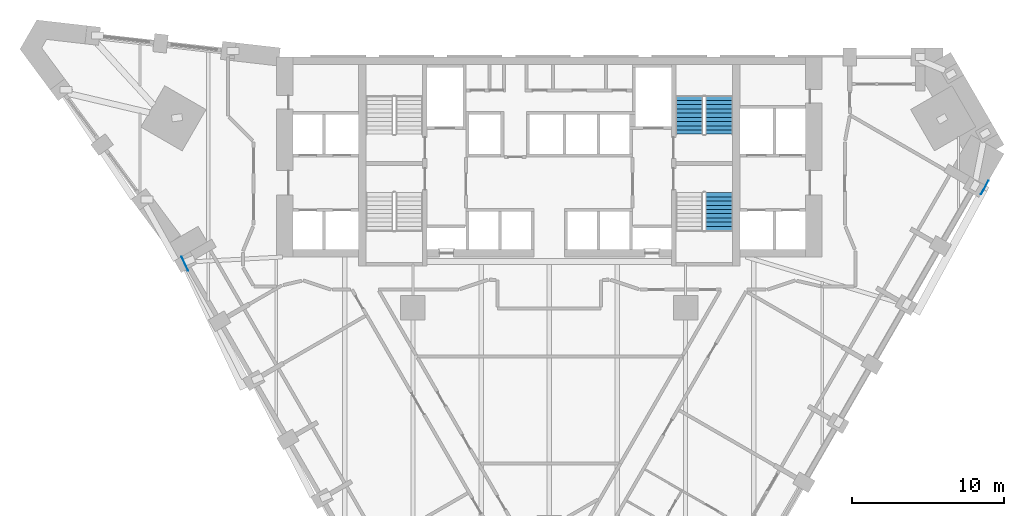
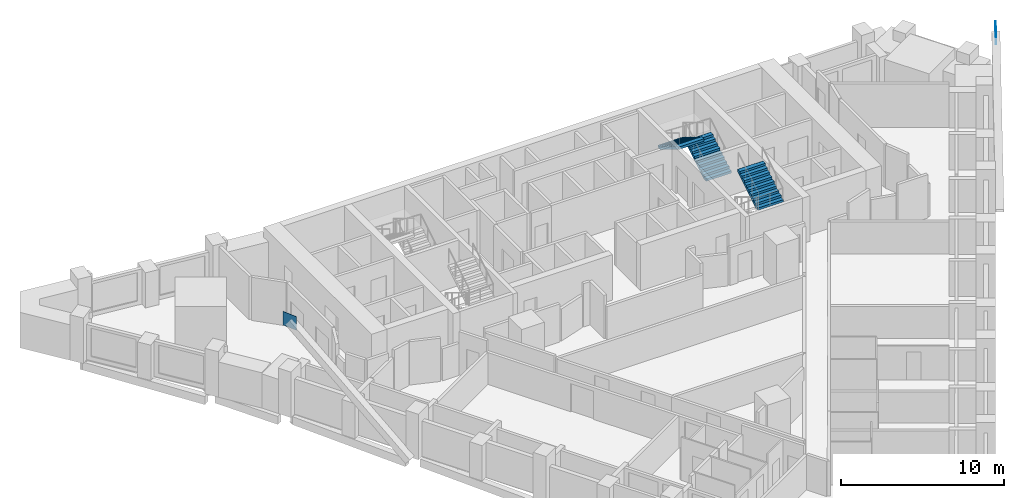
# One storey, part 10 of 11: 3 stair flights, 2 discrete accessories, 2 elements without a shape of their own.
"""IFC4 building model written with IfcOpenShell, lengths in metres."""

from ifc_helpers import new_model, si_unit, direction, frame, origin, origin_2d, place, context, subcontext, project, spatial, rectangle, extrude, faceted_brep, source, transform, mapped, material, type_object, element, aggregate, save


model = new_model("IFC4")

# Units and contexts
model_context = context("Model", 3, precision=1e-05, world=origin(), true_north=direction((0.0, 1.0)))
body_context = subcontext(model_context, "Body", "Model", "MODEL_VIEW")
ifc_project = project(units=[si_unit("LENGTHUNIT", "METRE"), si_unit("AREAUNIT", "SQUARE_METRE"), si_unit("VOLUMEUNIT", "CUBIC_METRE"), si_unit("PLANEANGLEUNIT", "RADIAN"), si_unit("MASSUNIT", "GRAM", prefix="KILO")], contexts=[model_context])

# Site, building, storey
site_placement = place(None, origin())
site = spatial("IfcSite", under=ifc_project, at=site_placement, CompositionType="ELEMENT")
building_placement = place(site_placement, origin())
building = spatial("IfcBuilding", under=site, at=building_placement, Name="Calabash Gate Tower", CompositionType="ELEMENT")
storey_placement = place(building_placement, frame((0.0, 0.0, 73.199951171875)))
storey = spatial("IfcBuildingStorey", under=building, at=storey_placement, Name="L14", CompositionType="ELEMENT", Elevation=73.199951171875)

# Stair, stair flights
ifc_material_1 = material(Name="Concrete C40/50", Category="concrete")
stair_type = type_object("IfcStairType", Name="Exit stair 20 risers of 170 mm", PredefinedType="HALF_TURN_STAIR", material=ifc_material_1)
stair_1_placement = place(storey_placement, origin())
stair_1 = element("IfcStair", 1, at=stair_1_placement, inside=storey, type_object=stair_type, Name="L14 Exit stair ST3", PredefinedType="HALF_TURN_STAIR")
ifc_material_2 = material(Name="Concrete C40/50", Category="concrete")
stair_flight_type = type_object("IfcStairFlightType", Name="Exit stair flight SFL", PredefinedType="STRAIGHT", material=ifc_material_2)
shared_shape = source(origin(), body_context, "Body", "Brep", [
    faceted_brep([(-0.0009765625, -0.89990234375, 0.0), (0.2880859375, -0.89990234375, 0.0), (2.511962890625, -0.89990234375, 1.3544921875), (-0.0009765625, 0.89990234375, 0.0), (2.511962890625, 0.89990234375, 1.3544921875), (0.2880859375, 0.89990234375, 0.0), (2.511962890625, -0.89990234375, 1.5419921875), (2.510986328125, -0.89990234375, 1.5419921875), (2.510986328125, 0.89990234375, 1.5419921875), (2.511962890625, 0.89990234375, 1.5419921875), (2.510986328125, -0.89990234375, 1.530029296875), (2.510986328125, 0.89990234375, 1.530029296875), (2.23193359375, -0.89990234375, 1.530029296875), (2.23193359375, 0.89990234375, 1.530029296875), (2.23193359375, -0.89990234375, 1.360107421875), (2.23193359375, 0.89990234375, 1.360107421875), (1.952880859375, -0.89990234375, 1.360107421875), (1.952880859375, 0.89990234375, 1.360107421875), (1.952880859375, -0.89990234375, 1.18994140625), (1.952880859375, 0.89990234375, 1.18994140625), (1.674072265625, -0.89990234375, 1.18994140625), (1.674072265625, -0.89990234375, 1.02001953125), (1.674072265625, 0.89990234375, 1.02001953125), (1.674072265625, 0.89990234375, 1.18994140625), (1.39501953125, -0.89990234375, 1.02001953125), (1.39501953125, -0.89990234375, 0.85009765625), (1.39501953125, 0.89990234375, 0.85009765625), (1.39501953125, 0.89990234375, 1.02001953125), (1.115966796875, -0.89990234375, 0.85009765625), (1.115966796875, -0.89990234375, 0.679931640625), (1.115966796875, 0.89990234375, 0.679931640625), (1.115966796875, 0.89990234375, 0.85009765625), (0.8369140625, -0.89990234375, 0.679931640625), (0.8369140625, -0.89990234375, 0.510009765625), (0.8369140625, 0.89990234375, 0.510009765625), (0.8369140625, 0.89990234375, 0.679931640625), (0.55810546875, -0.89990234375, 0.510009765625), (0.55810546875, -0.89990234375, 0.340087890625), (0.55810546875, 0.89990234375, 0.340087890625), (0.55810546875, 0.89990234375, 0.510009765625), (0.279052734375, -0.89990234375, 0.340087890625), (0.279052734375, -0.89990234375, 0.169921875), (0.279052734375, 0.89990234375, 0.169921875), (0.279052734375, 0.89990234375, 0.340087890625), (-0.0009765625, -0.89990234375, 0.169921875), (-0.0009765625, 0.89990234375, 0.169921875), (0.2880859375, -0.360107421875, 0.0), (2.511962890625, -0.360107421875, 1.3544921875), (0.2880859375, -0.179931640625, 0.0), (2.511962890625, -0.179931640625, 1.3544921875), (0.2880859375, 0.0, 0.0), (2.511962890625, 0.0, 1.3544921875), (0.2880859375, 0.179931640625, 0.0), (2.511962890625, 0.179931640625, 1.3544921875), (0.2880859375, 0.360107421875, 0.0), (2.511962890625, 0.360107421875, 1.3544921875), (2.511962890625, -0.360107421875, 1.5419921875), (2.511962890625, -0.179931640625, 1.5419921875), (2.511962890625, 0.0, 1.5419921875), (2.511962890625, 0.179931640625, 1.5419921875), (2.511962890625, 0.360107421875, 1.5419921875), (2.510986328125, -0.360107421875, 1.5419921875), (2.510986328125, -0.179931640625, 1.5419921875), (2.510986328125, 0.0, 1.5419921875), (2.510986328125, 0.179931640625, 1.5419921875), (2.510986328125, 0.360107421875, 1.5419921875), (2.510986328125, -0.360107421875, 1.530029296875), (2.510986328125, -0.179931640625, 1.530029296875), (2.510986328125, 0.0, 1.530029296875), (2.510986328125, 0.179931640625, 1.530029296875), (2.510986328125, 0.360107421875, 1.530029296875), (2.23193359375, -0.360107421875, 1.530029296875), (2.23193359375, -0.179931640625, 1.530029296875), (2.23193359375, 0.0, 1.530029296875), (2.23193359375, 0.179931640625, 1.530029296875), (2.23193359375, 0.360107421875, 1.530029296875), (2.23193359375, -0.360107421875, 1.360107421875), (2.23193359375, -0.179931640625, 1.360107421875), (2.23193359375, 0.0, 1.360107421875), (2.23193359375, 0.179931640625, 1.360107421875), (2.23193359375, 0.360107421875, 1.360107421875), (1.952880859375, -0.360107421875, 1.360107421875), (1.952880859375, -0.179931640625, 1.360107421875), (1.952880859375, 0.0, 1.360107421875), (1.952880859375, 0.179931640625, 1.360107421875), (1.952880859375, 0.360107421875, 1.360107421875), (1.952880859375, -0.360107421875, 1.18994140625), (1.952880859375, -0.179931640625, 1.18994140625), (1.952880859375, 0.0, 1.18994140625), (1.952880859375, 0.179931640625, 1.18994140625), (1.952880859375, 0.360107421875, 1.18994140625), (1.674072265625, -0.360107421875, 1.18994140625), (1.674072265625, -0.179931640625, 1.18994140625), (1.674072265625, 0.0, 1.18994140625), (1.674072265625, 0.179931640625, 1.18994140625), (1.674072265625, 0.360107421875, 1.18994140625), (1.674072265625, -0.360107421875, 1.02001953125), (1.674072265625, -0.179931640625, 1.02001953125), (1.674072265625, 0.0, 1.02001953125), (1.674072265625, 0.179931640625, 1.02001953125), (1.674072265625, 0.360107421875, 1.02001953125), (1.39501953125, -0.360107421875, 1.02001953125), (1.39501953125, -0.179931640625, 1.02001953125), (1.39501953125, 0.0, 1.02001953125), (1.39501953125, 0.179931640625, 1.02001953125), (1.39501953125, 0.360107421875, 1.02001953125), (1.39501953125, -0.360107421875, 0.85009765625), (1.39501953125, -0.179931640625, 0.85009765625), (1.39501953125, 0.0, 0.85009765625), (1.39501953125, 0.179931640625, 0.85009765625), (1.39501953125, 0.360107421875, 0.85009765625), (1.115966796875, -0.360107421875, 0.85009765625), (1.115966796875, -0.179931640625, 0.85009765625), (1.115966796875, 0.0, 0.85009765625), (1.115966796875, 0.179931640625, 0.85009765625), (1.115966796875, 0.360107421875, 0.85009765625), (1.115966796875, -0.360107421875, 0.679931640625), (1.115966796875, -0.179931640625, 0.679931640625), (1.115966796875, 0.0, 0.679931640625), (1.115966796875, 0.179931640625, 0.679931640625), (1.115966796875, 0.360107421875, 0.679931640625), (0.8369140625, -0.360107421875, 0.679931640625), (0.8369140625, -0.179931640625, 0.679931640625), (0.8369140625, 0.0, 0.679931640625), (0.8369140625, 0.179931640625, 0.679931640625), (0.8369140625, 0.360107421875, 0.679931640625), (0.8369140625, -0.360107421875, 0.510009765625), (0.8369140625, -0.179931640625, 0.510009765625), (0.8369140625, 0.0, 0.510009765625), (0.8369140625, 0.179931640625, 0.510009765625), (0.8369140625, 0.360107421875, 0.510009765625), (0.55810546875, -0.360107421875, 0.510009765625), (0.55810546875, -0.179931640625, 0.510009765625), (0.55810546875, 0.0, 0.510009765625), (0.55810546875, 0.179931640625, 0.510009765625), (0.55810546875, 0.360107421875, 0.510009765625), (0.55810546875, -0.360107421875, 0.340087890625), (0.55810546875, -0.179931640625, 0.340087890625), (0.55810546875, 0.0, 0.340087890625), (0.55810546875, 0.179931640625, 0.340087890625), (0.55810546875, 0.360107421875, 0.340087890625), (0.279052734375, -0.360107421875, 0.340087890625), (0.279052734375, -0.179931640625, 0.340087890625), (0.279052734375, 0.0, 0.340087890625), (0.279052734375, 0.179931640625, 0.340087890625), (0.279052734375, 0.360107421875, 0.340087890625), (0.279052734375, -0.360107421875, 0.169921875), (0.279052734375, -0.179931640625, 0.169921875), (0.279052734375, 0.0, 0.169921875), (0.279052734375, 0.179931640625, 0.169921875), (0.279052734375, 0.360107421875, 0.169921875), (-0.0009765625, -0.360107421875, 0.169921875), (-0.0009765625, -0.179931640625, 0.169921875), (-0.0009765625, 0.0, 0.169921875), (-0.0009765625, 0.179931640625, 0.169921875), (-0.0009765625, 0.360107421875, 0.169921875), (-0.0009765625, -0.360107421875, 0.0), (-0.0009765625, -0.179931640625, 0.0), (-0.0009765625, 0.0, 0.0), (-0.0009765625, 0.179931640625, 0.0), (-0.0009765625, 0.360107421875, 0.0)], [[[0, 1, 2]], [[3, 4, 5]], [[2, 6, 7]], [[4, 8, 9]], [[2, 7, 10]], [[4, 11, 8]], [[2, 10, 12]], [[4, 13, 11]], [[2, 12, 14]], [[4, 15, 13]], [[2, 14, 16]], [[4, 17, 15]], [[2, 16, 18]], [[4, 19, 17]], [[18, 20, 21]], [[19, 22, 23]], [[2, 18, 21]], [[4, 22, 19]], [[21, 24, 25]], [[22, 26, 27]], [[2, 21, 25]], [[4, 26, 22]], [[25, 28, 29]], [[26, 30, 31]], [[2, 25, 29]], [[4, 30, 26]], [[29, 32, 33]], [[30, 34, 35]], [[2, 29, 33]], [[4, 34, 30]], [[33, 36, 37]], [[34, 38, 39]], [[2, 33, 37]], [[4, 38, 34]], [[37, 40, 41]], [[38, 42, 43]], [[2, 37, 41]], [[4, 42, 38]], [[0, 2, 41]], [[3, 42, 4]], [[41, 44, 0]], [[42, 3, 45]], [[1, 46, 2]], [[46, 47, 2]], [[46, 48, 47]], [[48, 49, 47]], [[48, 50, 49]], [[50, 51, 49]], [[50, 52, 53]], [[50, 53, 51]], [[52, 54, 55]], [[52, 55, 53]], [[54, 5, 4]], [[54, 4, 55]], [[2, 47, 6]], [[47, 56, 6]], [[47, 49, 56]], [[49, 57, 56]], [[49, 51, 57]], [[51, 58, 57]], [[51, 53, 59]], [[51, 59, 58]], [[53, 55, 60]], [[53, 60, 59]], [[55, 4, 9]], [[55, 9, 60]], [[6, 56, 7]], [[56, 61, 7]], [[56, 57, 61]], [[57, 62, 61]], [[57, 58, 62]], [[58, 63, 62]], [[58, 59, 64]], [[58, 64, 63]], [[59, 60, 65]], [[59, 65, 64]], [[60, 9, 8]], [[60, 8, 65]], [[7, 61, 10]], [[61, 66, 10]], [[61, 62, 66]], [[62, 67, 66]], [[62, 63, 67]], [[63, 68, 67]], [[63, 64, 69]], [[63, 69, 68]], [[64, 65, 70]], [[64, 70, 69]], [[65, 8, 11]], [[65, 11, 70]], [[10, 66, 12]], [[66, 71, 12]], [[66, 67, 71]], [[67, 72, 71]], [[67, 68, 72]], [[68, 73, 72]], [[68, 69, 74]], [[68, 74, 73]], [[69, 70, 75]], [[69, 75, 74]], [[70, 11, 13]], [[70, 13, 75]], [[12, 71, 14]], [[71, 76, 14]], [[71, 72, 76]], [[72, 77, 76]], [[72, 73, 77]], [[73, 78, 77]], [[73, 74, 79]], [[73, 79, 78]], [[74, 75, 80]], [[74, 80, 79]], [[75, 13, 15]], [[75, 15, 80]], [[14, 76, 16]], [[76, 81, 16]], [[76, 77, 81]], [[77, 82, 81]], [[77, 78, 82]], [[78, 83, 82]], [[78, 79, 84]], [[78, 84, 83]], [[79, 80, 85]], [[79, 85, 84]], [[80, 15, 17]], [[80, 17, 85]], [[16, 81, 18]], [[81, 86, 18]], [[81, 82, 86]], [[82, 87, 86]], [[82, 83, 87]], [[83, 88, 87]], [[83, 84, 89]], [[83, 89, 88]], [[84, 85, 90]], [[84, 90, 89]], [[85, 17, 19]], [[85, 19, 90]], [[18, 86, 20]], [[86, 91, 20]], [[86, 87, 91]], [[87, 92, 91]], [[87, 88, 92]], [[88, 93, 92]], [[88, 89, 94]], [[88, 94, 93]], [[89, 90, 95]], [[89, 95, 94]], [[90, 19, 23]], [[90, 23, 95]], [[20, 91, 21]], [[91, 96, 21]], [[91, 92, 96]], [[92, 97, 96]], [[92, 93, 97]], [[93, 98, 97]], [[93, 94, 99]], [[93, 99, 98]], [[94, 95, 100]], [[94, 100, 99]], [[95, 23, 22]], [[95, 22, 100]], [[21, 96, 24]], [[96, 101, 24]], [[96, 97, 101]], [[97, 102, 101]], [[97, 98, 102]], [[98, 103, 102]], [[98, 99, 104]], [[98, 104, 103]], [[99, 100, 105]], [[99, 105, 104]], [[100, 22, 27]], [[100, 27, 105]], [[24, 101, 25]], [[101, 106, 25]], [[101, 102, 106]], [[102, 107, 106]], [[102, 103, 107]], [[103, 108, 107]], [[103, 104, 109]], [[103, 109, 108]], [[104, 105, 110]], [[104, 110, 109]], [[105, 27, 26]], [[105, 26, 110]], [[25, 106, 28]], [[106, 111, 28]], [[106, 107, 111]], [[107, 112, 111]], [[107, 108, 112]], [[108, 113, 112]], [[108, 109, 114]], [[108, 114, 113]], [[109, 110, 115]], [[109, 115, 114]], [[110, 26, 31]], [[110, 31, 115]], [[28, 111, 29]], [[111, 116, 29]], [[111, 112, 116]], [[112, 117, 116]], [[112, 113, 117]], [[113, 118, 117]], [[113, 114, 119]], [[113, 119, 118]], [[114, 115, 120]], [[114, 120, 119]], [[115, 31, 30]], [[115, 30, 120]], [[29, 116, 32]], [[116, 121, 32]], [[116, 117, 121]], [[117, 122, 121]], [[117, 118, 122]], [[118, 123, 122]], [[118, 119, 124]], [[118, 124, 123]], [[119, 120, 125]], [[119, 125, 124]], [[120, 30, 35]], [[120, 35, 125]], [[32, 121, 33]], [[121, 126, 33]], [[121, 122, 126]], [[122, 127, 126]], [[122, 123, 127]], [[123, 128, 127]], [[123, 124, 129]], [[123, 129, 128]], [[124, 125, 130]], [[124, 130, 129]], [[125, 35, 34]], [[125, 34, 130]], [[33, 126, 36]], [[126, 131, 36]], [[126, 127, 131]], [[127, 132, 131]], [[127, 128, 132]], [[128, 133, 132]], [[128, 129, 134]], [[128, 134, 133]], [[129, 130, 135]], [[129, 135, 134]], [[130, 34, 39]], [[130, 39, 135]], [[36, 131, 37]], [[131, 136, 37]], [[131, 132, 136]], [[132, 137, 136]], [[132, 133, 137]], [[133, 138, 137]], [[133, 134, 139]], [[133, 139, 138]], [[134, 135, 140]], [[134, 140, 139]], [[135, 39, 38]], [[135, 38, 140]], [[37, 136, 40]], [[136, 141, 40]], [[136, 137, 141]], [[137, 142, 141]], [[137, 138, 142]], [[138, 143, 142]], [[138, 139, 144]], [[138, 144, 143]], [[139, 140, 145]], [[139, 145, 144]], [[140, 38, 43]], [[140, 43, 145]], [[40, 141, 41]], [[141, 146, 41]], [[141, 142, 146]], [[142, 147, 146]], [[142, 143, 147]], [[143, 148, 147]], [[143, 144, 149]], [[143, 149, 148]], [[144, 145, 150]], [[144, 150, 149]], [[145, 43, 42]], [[145, 42, 150]], [[41, 146, 44]], [[146, 151, 44]], [[146, 147, 151]], [[147, 152, 151]], [[147, 148, 152]], [[148, 153, 152]], [[148, 149, 154]], [[148, 154, 153]], [[149, 150, 155]], [[149, 155, 154]], [[150, 42, 45]], [[150, 45, 155]], [[44, 151, 0]], [[151, 156, 0]], [[151, 152, 156]], [[152, 157, 156]], [[152, 153, 157]], [[153, 158, 157]], [[153, 154, 159]], [[153, 159, 158]], [[154, 155, 160]], [[154, 160, 159]], [[155, 45, 3]], [[155, 3, 160]], [[0, 156, 1]], [[156, 46, 1]], [[156, 157, 46]], [[157, 48, 46]], [[157, 158, 48]], [[158, 50, 48]], [[158, 159, 52]], [[158, 52, 50]], [[159, 160, 54]], [[159, 54, 52]], [[160, 3, 5]], [[160, 5, 54]]]),
])
stair_flight_1_placement = place(storey_placement, frame((11.199951171875, 13.95263671875, 0.0), z_axis=(0.0, 0.0, 1.0), x_axis=(0.0, 1.0, 0.0)))
stair_flight_1 = element("IfcStairFlight", 2, at=stair_flight_1_placement, type_object=stair_flight_type, Name="ST3 flight 1", NumberOfRisers=10, NumberOfTreads=9, PredefinedType="STRAIGHT", RiserHeight=0.17, TreadLength=0.279, context=body_context, shape_type="MappedRepresentation", body=[
    mapped(shared_shape, transform((0.0, 0.0, 0.0), scale=1.0)),
])
stair_flight_2_placement = place(storey_placement, frame((9.25, 16.463623046875, 1.699951171875), z_axis=(0.0, 0.0, 1.0), x_axis=(0.0, -1.0, 0.0)))
stair_flight_2 = element("IfcStairFlight", 3, at=stair_flight_2_placement, type_object=stair_flight_type, Name="ST3 flight 2", NumberOfRisers=10, NumberOfTreads=9, PredefinedType="STRAIGHT", RiserHeight=0.17, TreadLength=0.279, context=body_context, shape_type="MappedRepresentation", body=[
    mapped(shared_shape, transform((0.0, 0.0, 0.0), scale=1.0)),
])
aggregate(stair_1, [stair_flight_1, stair_flight_2])

# Stair, stair flight
stair_2_placement = place(storey_placement, origin())
stair_2 = element("IfcStair", 4, at=stair_2_placement, inside=storey, type_object=stair_type, Name="L14 Exit stair ST4", PredefinedType="HALF_TURN_STAIR")
stair_flight_3_placement = place(storey_placement, frame((11.199951171875, 7.591552734375, 1.699951171875), z_axis=(0.0, 0.0, 1.0), x_axis=(0.0, 1.0, 0.0)))
stair_flight_3 = element("IfcStairFlight", 5, at=stair_flight_3_placement, type_object=stair_flight_type, Name="ST4 flight 2", NumberOfRisers=10, NumberOfTreads=9, PredefinedType="STRAIGHT", RiserHeight=0.17, TreadLength=0.279, context=body_context, shape_type="MappedRepresentation", body=[
    mapped(shared_shape, transform((0.0, 0.0, 0.0), scale=1.0)),
])
aggregate(stair_2, [stair_flight_3])

# Discrete accessories
ifc_material_3 = material(Name="Steel ASTM A572 Gr50", Category="steel")
discrete_accessory_type = type_object("IfcDiscreteAccessoryType", Name="Connection plate 25", PredefinedType="BRACKET", material=ifc_material_3)
for number, where, z_axis, x_axis, name in (
    (6, (-24.037109375, 5.408935546875, 6.293701171875), (0.0, 0.0, 1.0), (-0.424695593549, 0.905336209825, 0.0), "Connection plate Mega-brace SW Z1 5 end"),
    (7, (28.72607421875, 10.428955078125, 6.293701171875), (0.0, 0.0, 1.0), (0.477146213521, 0.878823924869, 0.0), "Connection plate Mega-brace SE Z1 10 end"),
):
    element("IfcDiscreteAccessory", number, at=place(storey_placement, frame(where, z_axis=z_axis, x_axis=x_axis)), inside=storey, type_object=discrete_accessory_type, Name=name, PredefinedType="BRACKET", context=body_context, shape_type="SweptSolid", body=[
        extrude(rectangle(XDim=1.0126953125, YDim=0.02490234375, at=origin_2d()), origin(), (0.0, 0.0, 1.0), 1.0126953125),
    ])

save(model, "model.ifc")
